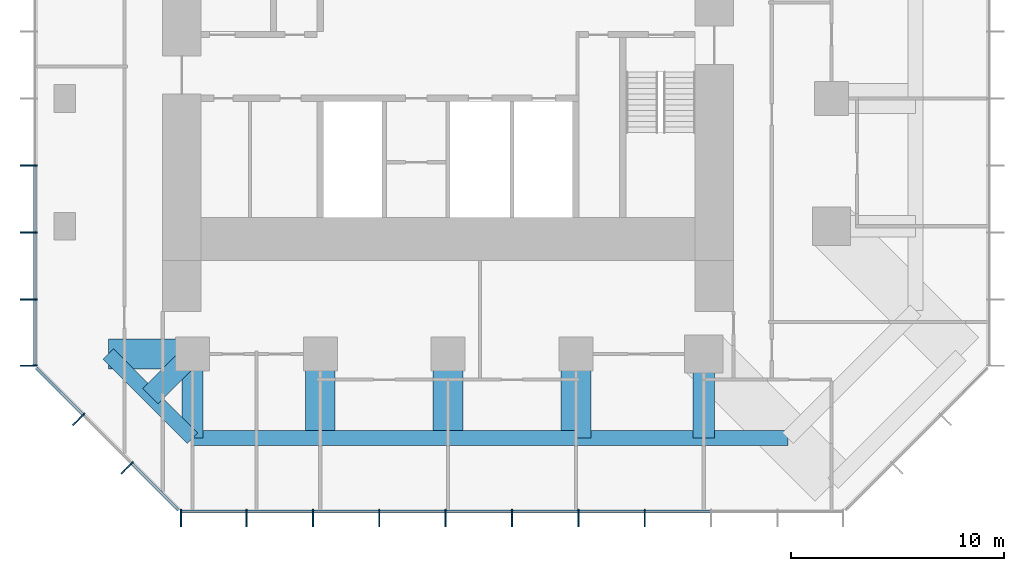
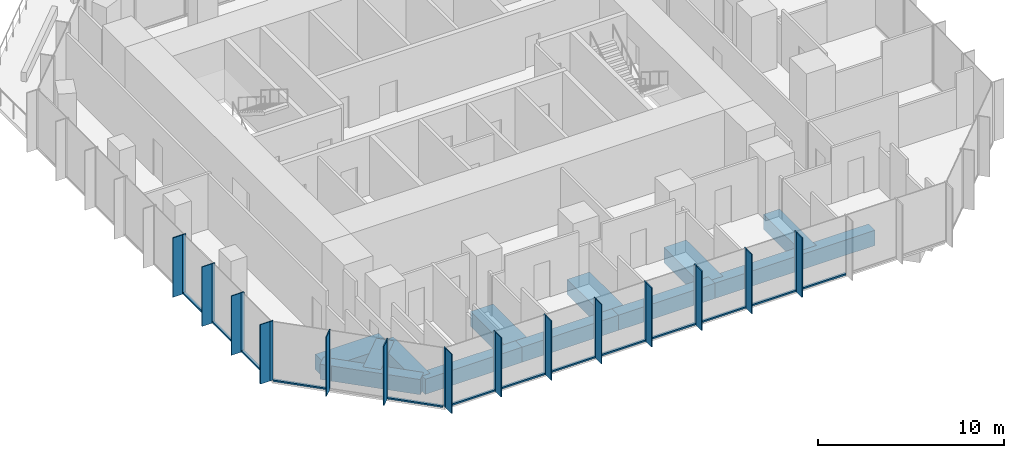
# One storey, part 2 of 11: 41 members, 12 beams, 3 elements without a shape of their own.
"""IFC4 building model written with IfcOpenShell, lengths in metres."""

from ifc_helpers import new_model, si_unit, direction, frame, origin, origin_2d, place, context, subcontext, project, spatial, rectangle, extrude, material, layer, layer_set, material_profile, profile_set, type_object, element, aggregate, save


model = new_model("IFC4")

# Units and contexts
model_context = context("Model", 3, precision=1e-05, world=origin(), true_north=direction((0.0, 1.0)))
body_context = subcontext(model_context, "Body", "Model", "MODEL_VIEW")
ifc_project = project(units=[si_unit("LENGTHUNIT", "METRE"), si_unit("AREAUNIT", "SQUARE_METRE"), si_unit("VOLUMEUNIT", "CUBIC_METRE"), si_unit("PLANEANGLEUNIT", "RADIAN"), si_unit("MASSUNIT", "GRAM", prefix="KILO")], contexts=[model_context])

# Site, building, storey
site_placement = place(None, origin())
site = spatial("IfcSite", under=ifc_project, at=site_placement, CompositionType="ELEMENT")
building_placement = place(site_placement, origin())
building = spatial("IfcBuilding", under=site, at=building_placement, Name="Highveld Stack Headquarters", CompositionType="ELEMENT")
storey_placement = place(building_placement, frame((0.0, 0.0, 268.39990234375)))
storey = spatial("IfcBuildingStorey", under=building, at=storey_placement, Name="L66", CompositionType="ELEMENT", Elevation=268.39990234375)

# Beams
ifc_material_1 = material(Name="Concrete C60/75", Category="concrete")
ifc_material_profile_1 = material_profile(ifc_material_1, rectangle(XDim=1.0, YDim=1.0, at=origin_2d()), Name="RC 1000x1000")
ifc_profile_set_1 = profile_set([ifc_material_profile_1], Name="Concrete C60/75")
beam_type_1 = type_object("IfcBeamType", Name="CANTILEVER RIB RC 1000x1000", PredefinedType="USERDEFINED", material=ifc_profile_set_1)
beam_1_placement = place(storey_placement, frame((-6.0, -12.0, -0.75), z_axis=(0.0, -1.0, 0.0), x_axis=(1.0, 0.0, 0.0)))
element("IfcBeam", 1, at=beam_1_placement, inside=storey, type_object=beam_type_1, Name="Cantilever rib 5/C L66", ObjectType="CANTILEVER RIB", PredefinedType="USERDEFINED", context=body_context, shape_type="SweptSolid", body=[
    extrude(rectangle(XDim=1.0, YDim=1.0, at=origin_2d()), origin(), (0.0, 0.0, 1.0), 3.949951171875),
])
beam_2_placement = place(storey_placement, frame((-6.0, -12.0, -0.75), z_axis=(-0.707106781187, -0.707106781187, 0.0), x_axis=(0.707106781187, -0.707106781187, 0.0)))
element("IfcBeam", 2, at=beam_2_placement, inside=storey, type_object=beam_type_1, Name="Cantilever rib 5/C L66", ObjectType="CANTILEVER RIB", PredefinedType="USERDEFINED", context=body_context, shape_type="SweptSolid", body=[
    extrude(rectangle(XDim=1.0, YDim=1.0, at=origin_2d()), origin(), (0.0, 0.0, 1.0), 2.793212890625),
])
beam_3_placement = place(storey_placement, frame((18.0, -12.0, -0.75), z_axis=(0.0, -1.0, 0.0), x_axis=(1.0, 0.0, 0.0)))
element("IfcBeam", 3, at=beam_3_placement, inside=storey, type_object=beam_type_1, Name="Cantilever rib 9/C L66", ObjectType="CANTILEVER RIB", PredefinedType="USERDEFINED", context=body_context, shape_type="SweptSolid", body=[
    extrude(rectangle(XDim=1.0, YDim=1.0, at=origin_2d()), origin(), (0.0, 0.0, 1.0), 3.949951171875),
])
ifc_material_2 = material(Name="Concrete C60/75", Category="concrete")
ifc_material_profile_2 = material_profile(ifc_material_2, rectangle(XDim=1.39990234375, YDim=1.0, at=origin_2d()), Name="RC 1400x1000")
ifc_profile_set_2 = profile_set([ifc_material_profile_2], Name="Concrete C60/75")
beam_type_2 = type_object("IfcBeamType", Name="CANTILEVER RIB RC 1400x1000", PredefinedType="USERDEFINED", material=ifc_profile_set_2)
for number, where, z_axis, x_axis, name in (
    (4, (-6.0, -12.0, -0.75), (-1.0, 0.0, 0.0), (0.0, -1.0, 0.0), "Cantilever rib 5/C L66"),
    (5, (0.0, -12.0, -0.75), (0.0, -1.0, 0.0), (1.0, 0.0, 0.0), "Cantilever rib 6/C L66"),
    (6, (6.0, -12.0, -0.75), (0.0, -1.0, 0.0), (1.0, 0.0, 0.0), "Cantilever rib 7/C L66"),
    (7, (12.0, -12.0, -0.75), (0.0, -1.0, 0.0), (1.0, 0.0, 0.0), "Cantilever rib 8/C L66"),
):
    element("IfcBeam", number, at=place(storey_placement, frame(where, z_axis=z_axis, x_axis=x_axis)), inside=storey, type_object=beam_type_2, Name=name, ObjectType="CANTILEVER RIB", PredefinedType="USERDEFINED", context=body_context, shape_type="SweptSolid", body=[
        extrude(rectangle(XDim=1.39990234375, YDim=1.0, at=origin_2d()), origin(), (0.0, 0.0, 1.0), 3.949951171875),
    ])

# Curtain wall, members
ifc_material_3 = material(Name="Aluminium bronze anodised", Category="aluminium")
ifc_layer = layer(ifc_material_3, 0.199951171875)
ifc_layer_set = layer_set([ifc_layer], Name="Aluminium bronze anodised")
curtain_wall_type = type_object("IfcCurtainWallType", Name="CW5 EXECUTIVE UNITISED CURTAIN WALL", PredefinedType="NOTDEFINED", material=ifc_layer_set)
curtain_wall_1_placement = place(storey_placement, origin())
curtain_wall_1 = element("IfcCurtainWall", 8, at=curtain_wall_1_placement, inside=storey, type_object=curtain_wall_type, Name="Curtain wall CW5 L66 S", PredefinedType="NOTDEFINED")
ifc_material_4 = material(Name="Aluminium bronze anodised", Category="aluminium")
ifc_material_profile_3 = material_profile(ifc_material_4, rectangle(XDim=0.60009765625, YDim=0.06005859375, at=origin_2d()), Name="FIN 600x60")
ifc_profile_set_3 = profile_set([ifc_material_profile_3], Name="Aluminium bronze anodised")
member_type_1 = type_object("IfcMemberType", Name="CW5 BRONZE FIN 600x60", PredefinedType="USERDEFINED", material=ifc_profile_set_3)
member_1_placement = place(storey_placement, frame((-6.54736328125, -19.800048828125, 0.0), z_axis=(0.0, 0.0, 1.0), x_axis=(0.0, 1.0, 0.0)))
member_1 = element("IfcMember", 9, at=member_1_placement, type_object=member_type_1, Name="CW5 fin L66 1", ObjectType="FIN", PredefinedType="USERDEFINED", context=body_context, shape_type="SweptSolid", body=[
    extrude(rectangle(XDim=0.60009765625, YDim=0.06005859375, at=origin_2d()), origin(), (0.0, 0.0, 1.0), 3.900146484375),
])
member_2_placement = place(storey_placement, frame((-3.4638671875, -19.800048828125, 0.0), z_axis=(0.0, 0.0, 1.0), x_axis=(0.0, 1.0, 0.0)))
member_2 = element("IfcMember", 10, at=member_2_placement, type_object=member_type_1, Name="CW5 fin L66 2", ObjectType="FIN", PredefinedType="USERDEFINED", context=body_context, shape_type="SweptSolid", body=[
    extrude(rectangle(XDim=0.60009765625, YDim=0.06005859375, at=origin_2d()), origin(), (0.0, 0.0, 1.0), 3.900146484375),
])
member_3_placement = place(storey_placement, frame((-0.347900390625, -19.800048828125, 0.0), z_axis=(0.0, 0.0, 1.0), x_axis=(0.0, 1.0, 0.0)))
member_3 = element("IfcMember", 11, at=member_3_placement, type_object=member_type_1, Name="CW5 fin L66 3", ObjectType="FIN", PredefinedType="USERDEFINED", context=body_context, shape_type="SweptSolid", body=[
    extrude(rectangle(XDim=0.60009765625, YDim=0.06005859375, at=origin_2d()), origin(), (0.0, 0.0, 1.0), 3.900146484375),
])
member_4_placement = place(storey_placement, frame((2.76806640625, -19.800048828125, 0.0), z_axis=(0.0, 0.0, 1.0), x_axis=(0.0, 1.0, 0.0)))
member_4 = element("IfcMember", 12, at=member_4_placement, type_object=member_type_1, Name="CW5 fin L66 4", ObjectType="FIN", PredefinedType="USERDEFINED", context=body_context, shape_type="SweptSolid", body=[
    extrude(rectangle(XDim=0.60009765625, YDim=0.06005859375, at=origin_2d()), origin(), (0.0, 0.0, 1.0), 3.900146484375),
])
member_5_placement = place(storey_placement, frame((5.884033203125, -19.800048828125, 0.0), z_axis=(0.0, 0.0, 1.0), x_axis=(0.0, 1.0, 0.0)))
member_5 = element("IfcMember", 13, at=member_5_placement, type_object=member_type_1, Name="CW5 fin L66 5", ObjectType="FIN", PredefinedType="USERDEFINED", context=body_context, shape_type="SweptSolid", body=[
    extrude(rectangle(XDim=0.60009765625, YDim=0.06005859375, at=origin_2d()), origin(), (0.0, 0.0, 1.0), 3.900146484375),
])
member_6_placement = place(storey_placement, frame((9.0, -19.800048828125, 0.0), z_axis=(0.0, 0.0, 1.0), x_axis=(0.0, 1.0, 0.0)))
member_6 = element("IfcMember", 14, at=member_6_placement, type_object=member_type_1, Name="CW5 fin L66 6", ObjectType="FIN", PredefinedType="USERDEFINED", context=body_context, shape_type="SweptSolid", body=[
    extrude(rectangle(XDim=0.60009765625, YDim=0.06005859375, at=origin_2d()), origin(), (0.0, 0.0, 1.0), 3.900146484375),
])
member_7_placement = place(storey_placement, frame((12.115966796875, -19.800048828125, 0.0), z_axis=(0.0, 0.0, 1.0), x_axis=(0.0, 1.0, 0.0)))
member_7 = element("IfcMember", 15, at=member_7_placement, type_object=member_type_1, Name="CW5 fin L66 7", ObjectType="FIN", PredefinedType="USERDEFINED", context=body_context, shape_type="SweptSolid", body=[
    extrude(rectangle(XDim=0.60009765625, YDim=0.06005859375, at=origin_2d()), origin(), (0.0, 0.0, 1.0), 3.900146484375),
])
member_8_placement = place(storey_placement, frame((15.23193359375, -19.800048828125, 0.0), z_axis=(0.0, 0.0, 1.0), x_axis=(0.0, 1.0, 0.0)))
member_8 = element("IfcMember", 16, at=member_8_placement, type_object=member_type_1, Name="CW5 fin L66 8", ObjectType="FIN", PredefinedType="USERDEFINED", context=body_context, shape_type="SweptSolid", body=[
    extrude(rectangle(XDim=0.60009765625, YDim=0.06005859375, at=origin_2d()), origin(), (0.0, 0.0, 1.0), 3.900146484375),
])

curtain_wall_2_placement = place(storey_placement, origin())
curtain_wall_2 = element("IfcCurtainWall", 17, at=curtain_wall_2_placement, inside=storey, type_object=curtain_wall_type, Name="Curtain wall CW5 L66 W", PredefinedType="NOTDEFINED")
member_9_placement = place(storey_placement, frame((-13.800048828125, -3.14501953125, 0.0), z_axis=(0.0, 0.0, 1.0), x_axis=(1.0, 0.0, 0.0)))
member_9 = element("IfcMember", 18, at=member_9_placement, type_object=member_type_1, Name="CW5 fin L66 6", ObjectType="FIN", PredefinedType="USERDEFINED", context=body_context, shape_type="SweptSolid", body=[
    extrude(rectangle(XDim=0.60009765625, YDim=0.06005859375, at=origin_2d()), origin(), (0.0, 0.0, 1.0), 3.900146484375),
])
member_10_placement = place(storey_placement, frame((-13.800048828125, -6.289794921875, 0.0), z_axis=(0.0, 0.0, 1.0), x_axis=(1.0, 0.0, 0.0)))
member_10 = element("IfcMember", 19, at=member_10_placement, type_object=member_type_1, Name="CW5 fin L66 7", ObjectType="FIN", PredefinedType="USERDEFINED", context=body_context, shape_type="SweptSolid", body=[
    extrude(rectangle(XDim=0.60009765625, YDim=0.06005859375, at=origin_2d()), origin(), (0.0, 0.0, 1.0), 3.900146484375),
])
member_11_placement = place(storey_placement, frame((-13.800048828125, -9.434814453125, 0.0), z_axis=(0.0, 0.0, 1.0), x_axis=(1.0, 0.0, 0.0)))
member_11 = element("IfcMember", 20, at=member_11_placement, type_object=member_type_1, Name="CW5 fin L66 8", ObjectType="FIN", PredefinedType="USERDEFINED", context=body_context, shape_type="SweptSolid", body=[
    extrude(rectangle(XDim=0.60009765625, YDim=0.06005859375, at=origin_2d()), origin(), (0.0, 0.0, 1.0), 3.900146484375),
])
member_12_placement = place(storey_placement, frame((-13.800048828125, -12.54736328125, 0.0), z_axis=(0.0, 0.0, 1.0), x_axis=(1.0, 0.0, 0.0)))
member_12 = element("IfcMember", 21, at=member_12_placement, type_object=member_type_1, Name="CW5 fin L66 9", ObjectType="FIN", PredefinedType="USERDEFINED", context=body_context, shape_type="SweptSolid", body=[
    extrude(rectangle(XDim=0.60009765625, YDim=0.06005859375, at=origin_2d()), origin(), (0.0, 0.0, 1.0), 3.900146484375),
])

curtain_wall_3_placement = place(storey_placement, origin())
curtain_wall_3 = element("IfcCurtainWall", 22, at=curtain_wall_3_placement, inside=storey, type_object=curtain_wall_type, Name="Curtain wall CW5 L66 SW", PredefinedType="NOTDEFINED")
member_13_placement = place(storey_placement, frame((-11.409423828125, -15.135986328125, 0.0), z_axis=(0.0, 0.0, 1.0), x_axis=(0.707106781187, 0.707106781187, 0.0)))
member_13 = element("IfcMember", 23, at=member_13_placement, type_object=member_type_1, Name="CW5 fin L66 1", ObjectType="FIN", PredefinedType="USERDEFINED", context=body_context, shape_type="SweptSolid", body=[
    extrude(rectangle(XDim=0.60009765625, YDim=0.06005859375, at=origin_2d()), origin(), (0.0, 0.0, 1.0), 3.900146484375),
])
member_14_placement = place(storey_placement, frame((-9.135986328125, -17.409423828125, 0.0), z_axis=(0.0, 0.0, 1.0), x_axis=(0.707106781187, 0.707106781187, 0.0)))
member_14 = element("IfcMember", 24, at=member_14_placement, type_object=member_type_1, Name="CW5 fin L66 2", ObjectType="FIN", PredefinedType="USERDEFINED", context=body_context, shape_type="SweptSolid", body=[
    extrude(rectangle(XDim=0.60009765625, YDim=0.06005859375, at=origin_2d()), origin(), (0.0, 0.0, 1.0), 3.900146484375),
])

# Member
ifc_material_5 = material(Name="Aluminium bronze anodised", Category="aluminium")
ifc_material_profile_4 = material_profile(ifc_material_5, rectangle(XDim=0.199951171875, YDim=0.06494140625, at=origin_2d()), Name="CW5 MULLION 65x200")
ifc_profile_set_4 = profile_set([ifc_material_profile_4], Name="Aluminium bronze anodised")
member_type_2 = type_object("IfcMemberType", Name="CW5 MULLION 65x200", PredefinedType="MULLION", material=ifc_profile_set_4)
member_15_placement = place(storey_placement, frame((-6.54736328125, -19.39990234375, 0.0), z_axis=(0.0, 0.0, 1.0), x_axis=(0.0, 1.0, 0.0)))
member_15 = element("IfcMember", 25, at=member_15_placement, type_object=member_type_2, Name="CW5 mullion L66 1", PredefinedType="MULLION", context=body_context, shape_type="SweptSolid", body=[
    extrude(rectangle(XDim=0.199951171875, YDim=0.06494140625, at=origin_2d()), origin(), (0.0, 0.0, 1.0), 3.900146484375),
])

member_16_placement = place(storey_placement, frame((-3.4638671875, -19.39990234375, 0.0), z_axis=(0.0, 0.0, 1.0), x_axis=(0.0, 1.0, 0.0)))
member_16 = element("IfcMember", 26, at=member_16_placement, type_object=member_type_2, Name="CW5 mullion L66 2", PredefinedType="MULLION", context=body_context, shape_type="SweptSolid", body=[
    extrude(rectangle(XDim=0.199951171875, YDim=0.06494140625, at=origin_2d()), origin(), (0.0, 0.0, 1.0), 3.900146484375),
])

member_17_placement = place(storey_placement, frame((-0.347900390625, -19.39990234375, 0.0), z_axis=(0.0, 0.0, 1.0), x_axis=(0.0, 1.0, 0.0)))
member_17 = element("IfcMember", 27, at=member_17_placement, type_object=member_type_2, Name="CW5 mullion L66 3", PredefinedType="MULLION", context=body_context, shape_type="SweptSolid", body=[
    extrude(rectangle(XDim=0.199951171875, YDim=0.06494140625, at=origin_2d()), origin(), (0.0, 0.0, 1.0), 3.900146484375),
])

member_18_placement = place(storey_placement, frame((2.76806640625, -19.39990234375, 0.0), z_axis=(0.0, 0.0, 1.0), x_axis=(0.0, 1.0, 0.0)))
member_18 = element("IfcMember", 28, at=member_18_placement, type_object=member_type_2, Name="CW5 mullion L66 4", PredefinedType="MULLION", context=body_context, shape_type="SweptSolid", body=[
    extrude(rectangle(XDim=0.199951171875, YDim=0.06494140625, at=origin_2d()), origin(), (0.0, 0.0, 1.0), 3.900146484375),
])

member_19_placement = place(storey_placement, frame((5.884033203125, -19.39990234375, 0.0), z_axis=(0.0, 0.0, 1.0), x_axis=(0.0, 1.0, 0.0)))
member_19 = element("IfcMember", 29, at=member_19_placement, type_object=member_type_2, Name="CW5 mullion L66 5", PredefinedType="MULLION", context=body_context, shape_type="SweptSolid", body=[
    extrude(rectangle(XDim=0.199951171875, YDim=0.06494140625, at=origin_2d()), origin(), (0.0, 0.0, 1.0), 3.900146484375),
])

member_20_placement = place(storey_placement, frame((9.0, -19.39990234375, 0.0), z_axis=(0.0, 0.0, 1.0), x_axis=(0.0, 1.0, 0.0)))
member_20 = element("IfcMember", 30, at=member_20_placement, type_object=member_type_2, Name="CW5 mullion L66 6", PredefinedType="MULLION", context=body_context, shape_type="SweptSolid", body=[
    extrude(rectangle(XDim=0.199951171875, YDim=0.06494140625, at=origin_2d()), origin(), (0.0, 0.0, 1.0), 3.900146484375),
])

member_21_placement = place(storey_placement, frame((12.115966796875, -19.39990234375, 0.0), z_axis=(0.0, 0.0, 1.0), x_axis=(0.0, 1.0, 0.0)))
member_21 = element("IfcMember", 31, at=member_21_placement, type_object=member_type_2, Name="CW5 mullion L66 7", PredefinedType="MULLION", context=body_context, shape_type="SweptSolid", body=[
    extrude(rectangle(XDim=0.199951171875, YDim=0.06494140625, at=origin_2d()), origin(), (0.0, 0.0, 1.0), 3.900146484375),
])

member_22_placement = place(storey_placement, frame((15.23193359375, -19.39990234375, 0.0), z_axis=(0.0, 0.0, 1.0), x_axis=(0.0, 1.0, 0.0)))
member_22 = element("IfcMember", 32, at=member_22_placement, type_object=member_type_2, Name="CW5 mullion L66 8", PredefinedType="MULLION", context=body_context, shape_type="SweptSolid", body=[
    extrude(rectangle(XDim=0.199951171875, YDim=0.06494140625, at=origin_2d()), origin(), (0.0, 0.0, 1.0), 3.900146484375),
])

member_23_placement = place(storey_placement, frame((-13.39990234375, -3.14501953125, 0.0), z_axis=(0.0, 0.0, 1.0), x_axis=(1.0, 0.0, 0.0)))
member_23 = element("IfcMember", 33, at=member_23_placement, type_object=member_type_2, Name="CW5 mullion L66 6", PredefinedType="MULLION", context=body_context, shape_type="SweptSolid", body=[
    extrude(rectangle(XDim=0.199951171875, YDim=0.06494140625, at=origin_2d()), origin(), (0.0, 0.0, 1.0), 3.900146484375),
])

member_24_placement = place(storey_placement, frame((-13.39990234375, -6.289794921875, 0.0), z_axis=(0.0, 0.0, 1.0), x_axis=(1.0, 0.0, 0.0)))
member_24 = element("IfcMember", 34, at=member_24_placement, type_object=member_type_2, Name="CW5 mullion L66 7", PredefinedType="MULLION", context=body_context, shape_type="SweptSolid", body=[
    extrude(rectangle(XDim=0.199951171875, YDim=0.06494140625, at=origin_2d()), origin(), (0.0, 0.0, 1.0), 3.900146484375),
])

member_25_placement = place(storey_placement, frame((-13.39990234375, -9.434814453125, 0.0), z_axis=(0.0, 0.0, 1.0), x_axis=(1.0, 0.0, 0.0)))
member_25 = element("IfcMember", 35, at=member_25_placement, type_object=member_type_2, Name="CW5 mullion L66 8", PredefinedType="MULLION", context=body_context, shape_type="SweptSolid", body=[
    extrude(rectangle(XDim=0.199951171875, YDim=0.06494140625, at=origin_2d()), origin(), (0.0, 0.0, 1.0), 3.900146484375),
])

member_26_placement = place(storey_placement, frame((-13.39990234375, -12.54736328125, 0.0), z_axis=(0.0, 0.0, 1.0), x_axis=(1.0, 0.0, 0.0)))
member_26 = element("IfcMember", 36, at=member_26_placement, type_object=member_type_2, Name="CW5 mullion L66 9", PredefinedType="MULLION", context=body_context, shape_type="SweptSolid", body=[
    extrude(rectangle(XDim=0.199951171875, YDim=0.06494140625, at=origin_2d()), origin(), (0.0, 0.0, 1.0), 3.900146484375),
])

member_27_placement = place(storey_placement, frame((-11.126708984375, -14.853271484375, 0.0), z_axis=(0.0, 0.0, 1.0), x_axis=(0.707106781187, 0.707106781187, 0.0)))
member_27 = element("IfcMember", 37, at=member_27_placement, type_object=member_type_2, Name="CW5 mullion L66 1", PredefinedType="MULLION", context=body_context, shape_type="SweptSolid", body=[
    extrude(rectangle(XDim=0.199951171875, YDim=0.06494140625, at=origin_2d()), origin(), (0.0, 0.0, 1.0), 3.900146484375),
])

member_28_placement = place(storey_placement, frame((-8.853271484375, -17.126708984375, 0.0), z_axis=(0.0, 0.0, 1.0), x_axis=(0.707106781187, 0.707106781187, 0.0)))
member_28 = element("IfcMember", 38, at=member_28_placement, type_object=member_type_2, Name="CW5 mullion L66 2", PredefinedType="MULLION", context=body_context, shape_type="SweptSolid", body=[
    extrude(rectangle(XDim=0.199951171875, YDim=0.06494140625, at=origin_2d()), origin(), (0.0, 0.0, 1.0), 3.900146484375),
])

ifc_material_6 = material(Name="Aluminium bronze anodised", Category="aluminium")
ifc_material_profile_5 = material_profile(ifc_material_6, rectangle(XDim=0.14990234375, YDim=0.10009765625, at=origin_2d()), Name="CW5 TRANSOM 150x100")
ifc_profile_set_5 = profile_set([ifc_material_profile_5], Name="Aluminium bronze anodised")
member_type_3 = type_object("IfcMemberType", Name="CW5 STACK TRANSOM 150x100", PredefinedType="USERDEFINED", material=ifc_profile_set_5)
member_29_placement = place(storey_placement, frame((-6.514892578125, -19.39990234375, 0.050048828125), z_axis=(1.0, 0.0, 0.0), x_axis=(0.0, 1.0, 0.0)))
member_29 = element("IfcMember", 39, at=member_29_placement, type_object=member_type_3, Name="CW5 transom L66 1.1", ObjectType="TRANSOM", PredefinedType="USERDEFINED", context=body_context, shape_type="SweptSolid", body=[
    extrude(rectangle(XDim=0.14990234375, YDim=0.10009765625, at=origin_2d()), origin(), (0.0, 0.0, 1.0), 3.0185546875),
])

member_30_placement = place(storey_placement, frame((-3.431396484375, -19.39990234375, 0.050048828125), z_axis=(1.0, 0.0, 0.0), x_axis=(0.0, 1.0, 0.0)))
member_30 = element("IfcMember", 40, at=member_30_placement, type_object=member_type_3, Name="CW5 transom L66 2.1", ObjectType="TRANSOM", PredefinedType="USERDEFINED", context=body_context, shape_type="SweptSolid", body=[
    extrude(rectangle(XDim=0.14990234375, YDim=0.10009765625, at=origin_2d()), origin(), (0.0, 0.0, 1.0), 3.051025390625),
])

member_31_placement = place(storey_placement, frame((-0.3154296875, -19.39990234375, 0.050048828125), z_axis=(1.0, 0.0, 0.0), x_axis=(0.0, 1.0, 0.0)))
member_31 = element("IfcMember", 41, at=member_31_placement, type_object=member_type_3, Name="CW5 transom L66 3.1", ObjectType="TRANSOM", PredefinedType="USERDEFINED", context=body_context, shape_type="SweptSolid", body=[
    extrude(rectangle(XDim=0.14990234375, YDim=0.10009765625, at=origin_2d()), origin(), (0.0, 0.0, 1.0), 3.051025390625),
])

member_32_placement = place(storey_placement, frame((2.800537109375, -19.39990234375, 0.050048828125), z_axis=(1.0, 0.0, 0.0), x_axis=(0.0, 1.0, 0.0)))
member_32 = element("IfcMember", 42, at=member_32_placement, type_object=member_type_3, Name="CW5 transom L66 4.1", ObjectType="TRANSOM", PredefinedType="USERDEFINED", context=body_context, shape_type="SweptSolid", body=[
    extrude(rectangle(XDim=0.14990234375, YDim=0.10009765625, at=origin_2d()), origin(), (0.0, 0.0, 1.0), 3.051025390625),
])

member_33_placement = place(storey_placement, frame((5.91650390625, -19.39990234375, 0.050048828125), z_axis=(1.0, 0.0, 0.0), x_axis=(0.0, 1.0, 0.0)))
member_33 = element("IfcMember", 43, at=member_33_placement, type_object=member_type_3, Name="CW5 transom L66 5.1", ObjectType="TRANSOM", PredefinedType="USERDEFINED", context=body_context, shape_type="SweptSolid", body=[
    extrude(rectangle(XDim=0.14990234375, YDim=0.10009765625, at=origin_2d()), origin(), (0.0, 0.0, 1.0), 3.051025390625),
])

member_34_placement = place(storey_placement, frame((9.032470703125, -19.39990234375, 0.050048828125), z_axis=(1.0, 0.0, 0.0), x_axis=(0.0, 1.0, 0.0)))
member_34 = element("IfcMember", 44, at=member_34_placement, type_object=member_type_3, Name="CW5 transom L66 6.1", ObjectType="TRANSOM", PredefinedType="USERDEFINED", context=body_context, shape_type="SweptSolid", body=[
    extrude(rectangle(XDim=0.14990234375, YDim=0.10009765625, at=origin_2d()), origin(), (0.0, 0.0, 1.0), 3.051025390625),
])

member_35_placement = place(storey_placement, frame((12.1484375, -19.39990234375, 0.050048828125), z_axis=(1.0, 0.0, 0.0), x_axis=(0.0, 1.0, 0.0)))
member_35 = element("IfcMember", 45, at=member_35_placement, type_object=member_type_3, Name="CW5 transom L66 7.1", ObjectType="TRANSOM", PredefinedType="USERDEFINED", context=body_context, shape_type="SweptSolid", body=[
    extrude(rectangle(XDim=0.14990234375, YDim=0.10009765625, at=origin_2d()), origin(), (0.0, 0.0, 1.0), 3.051025390625),
])

member_36_placement = place(storey_placement, frame((15.264404296875, -19.39990234375, 0.050048828125), z_axis=(1.0, 0.0, 0.0), x_axis=(0.0, 1.0, 0.0)))
member_36 = element("IfcMember", 46, at=member_36_placement, type_object=member_type_3, Name="CW5 transom L66 8.1", ObjectType="TRANSOM", PredefinedType="USERDEFINED", context=body_context, shape_type="SweptSolid", body=[
    extrude(rectangle(XDim=0.14990234375, YDim=0.10009765625, at=origin_2d()), origin(), (0.0, 0.0, 1.0), 3.051025390625),
])

aggregate(curtain_wall_1, [member_15, member_1, member_16, member_2, member_17, member_3, member_18, member_4, member_19, member_5, member_20, member_6, member_21, member_7, member_22, member_8, member_29, member_30, member_31, member_32, member_33, member_34, member_35, member_36])

member_37_placement = place(storey_placement, frame((-13.39990234375, -3.177490234375, 0.050048828125), z_axis=(0.0, -1.0, 0.0), x_axis=(1.0, 0.0, 0.0)))
member_37 = element("IfcMember", 47, at=member_37_placement, type_object=member_type_3, Name="CW5 transom L66 6.1", ObjectType="TRANSOM", PredefinedType="USERDEFINED", context=body_context, shape_type="SweptSolid", body=[
    extrude(rectangle(XDim=0.14990234375, YDim=0.10009765625, at=origin_2d()), origin(), (0.0, 0.0, 1.0), 3.080078125),
])

member_38_placement = place(storey_placement, frame((-13.39990234375, -6.322509765625, 0.050048828125), z_axis=(0.0, -1.0, 0.0), x_axis=(1.0, 0.0, 0.0)))
member_38 = element("IfcMember", 48, at=member_38_placement, type_object=member_type_3, Name="CW5 transom L66 7.1", ObjectType="TRANSOM", PredefinedType="USERDEFINED", context=body_context, shape_type="SweptSolid", body=[
    extrude(rectangle(XDim=0.14990234375, YDim=0.10009765625, at=origin_2d()), origin(), (0.0, 0.0, 1.0), 3.079833984375),
])

member_39_placement = place(storey_placement, frame((-13.39990234375, -9.46728515625, 0.050048828125), z_axis=(0.0, -1.0, 0.0), x_axis=(1.0, 0.0, 0.0)))
member_39 = element("IfcMember", 49, at=member_39_placement, type_object=member_type_3, Name="CW5 transom L66 8.1", ObjectType="TRANSOM", PredefinedType="USERDEFINED", context=body_context, shape_type="SweptSolid", body=[
    extrude(rectangle(XDim=0.14990234375, YDim=0.10009765625, at=origin_2d()), origin(), (0.0, 0.0, 1.0), 3.047607421875),
])

aggregate(curtain_wall_2, [member_23, member_9, member_24, member_10, member_25, member_11, member_26, member_12, member_37, member_38, member_39])

member_40_placement = place(storey_placement, frame((-13.329345703125, -12.650634765625, 0.050048828125), z_axis=(0.707106781187, -0.707106781187, 0.0), x_axis=(0.707106781187, 0.707106781187, 0.0)))
member_40 = element("IfcMember", 50, at=member_40_placement, type_object=member_type_3, Name="CW5 transom L66 1.1", ObjectType="TRANSOM", PredefinedType="USERDEFINED", context=body_context, shape_type="SweptSolid", body=[
    extrude(rectangle(XDim=0.14990234375, YDim=0.10009765625, at=origin_2d()), origin(), (0.0, 0.0, 1.0), 3.08251953125),
])

member_41_placement = place(storey_placement, frame((-8.830322265625, -17.149658203125, 0.050048828125), z_axis=(0.707106781187, -0.707106781187, 0.0), x_axis=(0.707106781187, 0.707106781187, 0.0)))
member_41 = element("IfcMember", 51, at=member_41_placement, type_object=member_type_3, Name="CW5 transom L66 3.1", ObjectType="TRANSOM", PredefinedType="USERDEFINED", context=body_context, shape_type="SweptSolid", body=[
    extrude(rectangle(XDim=0.14990234375, YDim=0.10009765625, at=origin_2d()), origin(), (0.0, 0.0, 1.0), 3.08251953125),
])

aggregate(curtain_wall_3, [member_27, member_13, member_28, member_14, member_40, member_41])

# Beams
ifc_material_7 = material(Name="Concrete C60/75", Category="concrete")
ifc_material_profile_6 = material_profile(ifc_material_7, rectangle(XDim=0.699951171875, YDim=1.0, at=origin_2d()), Name="RC 700x1000")
ifc_profile_set_6 = profile_set([ifc_material_profile_6], Name="Concrete C60/75")
beam_type_3 = type_object("IfcBeamType", Name="RIB TIP BEAM RC 700x1000", PredefinedType="SPANDREL", material=ifc_profile_set_6)
for number, where, z_axis, x_axis, name in (
    (52, (-6.0, -15.949951171875, -0.75), (1.0, 0.0, 0.0), (0.0, 1.0, 0.0), "Rib tip beam 5/C to 6/C L66"),
    (53, (0.0, -15.949951171875, -0.75), (1.0, 0.0, 0.0), (0.0, 1.0, 0.0), "Rib tip beam 6/C to 7/C L66"),
    (54, (6.0, -15.949951171875, -0.75), (1.0, 0.0, 0.0), (0.0, 1.0, 0.0), "Rib tip beam 7/C to 8/C L66"),
):
    element("IfcBeam", number, at=place(storey_placement, frame(where, z_axis=z_axis, x_axis=x_axis)), inside=storey, type_object=beam_type_3, Name=name, PredefinedType="SPANDREL", context=body_context, shape_type="SweptSolid", body=[
        extrude(rectangle(XDim=0.699951171875, YDim=1.0, at=origin_2d()), origin(), (0.0, 0.0, 1.0), 6.0),
    ])
beam_4_placement = place(storey_placement, frame((12.0, -15.949951171875, -0.75), z_axis=(1.0, 0.0, 0.0), x_axis=(0.0, 1.0, 0.0)))
element("IfcBeam", 55, at=beam_4_placement, inside=storey, type_object=beam_type_3, Name="Rib tip beam 8/C to 9/C L66", PredefinedType="SPANDREL", context=body_context, shape_type="SweptSolid", body=[
    extrude(rectangle(XDim=0.699951171875, YDim=1.0, at=origin_2d()), origin(), (0.0, 0.0, 1.0), 9.949951171875),
])
beam_5_placement = place(storey_placement, frame((-9.949951171875, -12.0, -0.75), z_axis=(0.707106781187, -0.707106781187, 0.0), x_axis=(0.707106781187, 0.707106781187, 0.0)))
element("IfcBeam", 56, at=beam_5_placement, inside=storey, type_object=beam_type_3, Name="Rib tip beam 5/C corner L66", PredefinedType="SPANDREL", context=body_context, shape_type="SweptSolid", body=[
    extrude(rectangle(XDim=0.699951171875, YDim=1.0, at=origin_2d()), origin(), (0.0, 0.0, 1.0), 5.586181640625),
])

save(model, "model.ifc")
